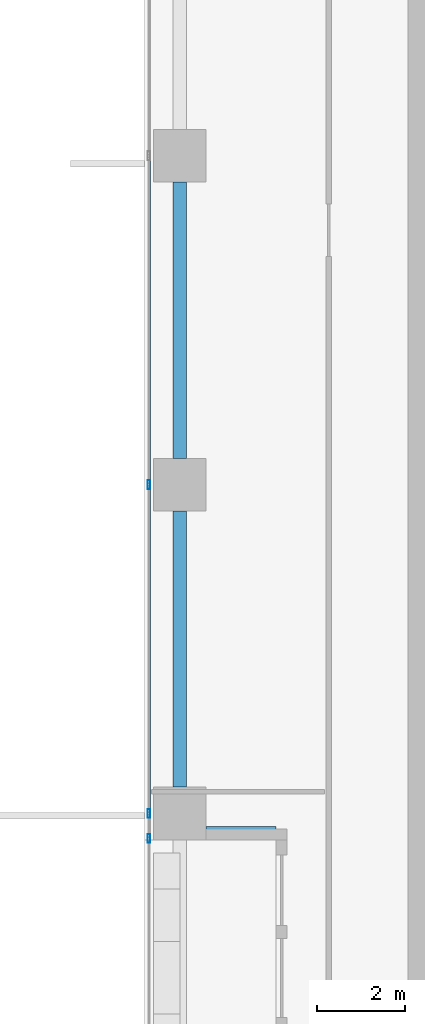
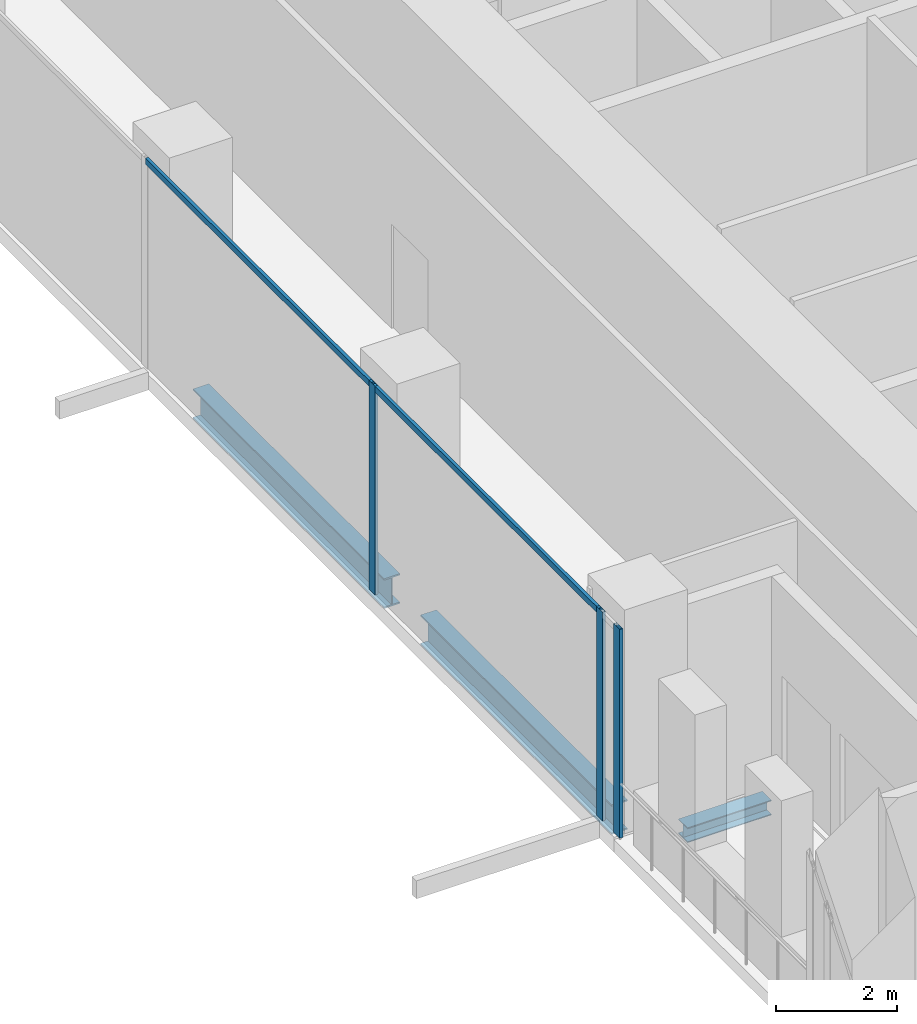
# One storey, part 5 of 33: 5 members, 3 beams, 1 element without a shape of its own.
"""IFC4 building model written with IfcOpenShell, lengths in metres."""

import ifcopenshell
import ifcopenshell.guid

model = None  # the IFC model being written
_history = None  # IfcOwnerHistory: only IFC2X3 demands one
_inside = {}  # id of a spatial element -> (the spatial element, [elements in it])
_under = {}  # id of a project, library or spatial element -> (it, [spatial elements below it])
_declared = {}  # id of a project -> (the project, [libraries it declares])
_typed = {}  # id of a type object -> (the type object, [elements of that type])
_made_of = {}  # id of a material, layer set ... -> (it, [elements and type objects made of it])


def new_model(schema):
    """Start an empty IFC model of exactly this schema.

    Asked for "IFC4X3", IfcOpenShell would pick the latest addendum, in which some entities
    have other attributes; the version numbers below select the first issue.
    IFC2X3 requires an IfcOwnerHistory on every rooted entity: one is made here for all.
    """
    global model, _history
    if schema == "IFC4X3":
        model = ifcopenshell.file(schema_version=(4, 3, 0, 0))
    else:
        model = ifcopenshell.file(schema=schema)
    _inside.clear()
    _under.clear()
    _declared.clear()
    _typed.clear()
    _made_of.clear()
    _history = None
    if model.schema == "IFC2X3":
        org = make("IfcOrganization", Name="unknown")
        user = make(
            "IfcPersonAndOrganization",
            ThePerson=make("IfcPerson", FamilyName="unknown"),
            TheOrganization=org,
        )
        app = make(
            "IfcApplication",
            ApplicationDeveloper=org,
            Version="unknown",
            ApplicationFullName="unknown",
            ApplicationIdentifier="unknown",
        )
        _history = make(
            "IfcOwnerHistory",
            OwningUser=user,
            OwningApplication=app,
            ChangeAction="ADDED",
            CreationDate=0,
        )
    return model


def make(cls, **values):
    """One entity of the class cls with the attributes given. An attribute that is None is left unset."""
    return model.create_entity(
        cls, **{name: value for name, value in values.items() if value is not None}
    )


def rooted(cls, **values):
    """An entity with a GlobalId (a new one), such as an element, a storey or a relation."""
    return make(cls, GlobalId=ifcopenshell.guid.new(), OwnerHistory=_history, **values)


def si_unit(unit_type, name, prefix=None):
    """IfcSIUnit, for example si_unit("LENGTHUNIT", "METRE", prefix="MILLI")."""
    return make("IfcSIUnit", UnitType=unit_type, Prefix=prefix, Name=name)


def assignment(units):
    """IfcUnitAssignment: the units of a project."""
    return None if units is None else make("IfcUnitAssignment", Units=units)


def point(xyz):
    """IfcCartesianPoint."""
    return None if xyz is None else make("IfcCartesianPoint", Coordinates=xyz)


def direction(xyz):
    """IfcDirection."""
    return None if xyz is None else make("IfcDirection", DirectionRatios=xyz)


def frame(location, z_axis=None, x_axis=None):
    """IfcAxis2Placement3D, a coordinate frame: its origin and axes. An axis left out is left unset."""
    return make(
        "IfcAxis2Placement3D",
        Location=point(location),
        Axis=direction(z_axis),
        RefDirection=direction(x_axis),
    )


def frame_2d(location, x_axis=None):
    """IfcAxis2Placement2D, a coordinate frame in the plane: its origin and x axis."""
    return make(
        "IfcAxis2Placement2D", Location=point(location), RefDirection=direction(x_axis)
    )


def origin():
    """The frame at (0, 0, 0) with its axes left unset."""
    return frame((0.0, 0.0, 0.0))


def origin_2d():
    """The frame at (0, 0) in the plane with its x axis left unset."""
    return frame_2d((0.0, 0.0))


def place(relative_to, where):
    """IfcLocalPlacement: puts the frame where relative to a parent placement (None: the world)."""
    return make(
        "IfcLocalPlacement", PlacementRelTo=relative_to, RelativePlacement=where
    )


def context(
    kind, dimensions, precision=None, world=None, true_north=None, identifier=None
):
    """IfcGeometricRepresentationContext, for example the 3D "Model" context."""
    return make(
        "IfcGeometricRepresentationContext",
        ContextIdentifier=identifier,
        ContextType=kind,
        CoordinateSpaceDimension=dimensions,
        Precision=precision,
        WorldCoordinateSystem=world,
        TrueNorth=true_north,
    )


def subcontext(parent, identifier, kind, view, scale=None):
    """IfcGeometricRepresentationSubContext, for example "Body" below "Model"."""
    return make(
        "IfcGeometricRepresentationSubContext",
        ContextIdentifier=identifier,
        ContextType=kind,
        ParentContext=parent,
        TargetScale=scale,
        TargetView=view,
    )


def project(units=None, contexts=None):
    """IfcProject with its units and contexts."""
    return rooted(
        "IfcProject",
        Name="project",
        RepresentationContexts=contexts,
        UnitsInContext=assignment(units),
    )


def spatial(cls, under=None, at=None, **own):
    """A site, building, storey or space (cls), placed at a placement, below another one or the project."""
    s = rooted(cls, ObjectPlacement=at, **own)
    if under is not None:
        _under.setdefault(under.id(), (under, []))[1].append(s)
    return s


def profile(cls, at=None, kind="AREA", **sizes):
    """A parametric profile (cls). Its sizes go by their IFC names, for example OverallWidth=200.0."""
    return make(cls, ProfileType=kind, Position=at, **sizes)


def hollow_rectangle(**sizes):
    """IfcRectangleHollowProfileDef."""
    return profile("IfcRectangleHollowProfileDef", **sizes)


def i_section(**sizes):
    """IfcIShapeProfileDef."""
    return profile("IfcIShapeProfileDef", **sizes)


def extrude(swept, where, along, depth):
    """IfcExtrudedAreaSolid: the profile swept, set in the frame where, extruded along a direction by depth."""
    return make(
        "IfcExtrudedAreaSolid",
        SweptArea=swept,
        Position=where,
        ExtrudedDirection=direction(along),
        Depth=depth,
    )


def shape(context_of_items, identifier, shape_type, items):
    """IfcShapeRepresentation: the items that make up one representation, for example the "Body"."""
    return make(
        "IfcShapeRepresentation",
        ContextOfItems=context_of_items,
        RepresentationIdentifier=identifier,
        RepresentationType=shape_type,
        Items=items,
    )


def source(mapping_origin, context_of_items, identifier, shape_type, items):
    """IfcRepresentationMap: a shape defined once, which mapped items show again and again."""
    return make(
        "IfcRepresentationMap",
        MappingOrigin=mapping_origin,
        MappedRepresentation=shape(context_of_items, identifier, shape_type, items),
    )


def transform(
    local_origin,
    x_axis=None,
    y_axis=None,
    z_axis=None,
    scale=None,
    scale2=None,
    scale3=None,
    uniform=True,
):
    """IfcCartesianTransformationOperator3D, or its non-uniform kind. x_axis, y_axis, z_axis: its Axis1, 2, 3."""
    if uniform:
        return make(
            "IfcCartesianTransformationOperator3D",
            Axis1=direction(x_axis),
            Axis2=direction(y_axis),
            LocalOrigin=point(local_origin),
            Scale=scale,
            Axis3=direction(z_axis),
        )
    return make(
        "IfcCartesianTransformationOperator3DnonUniform",
        Axis1=direction(x_axis),
        Axis2=direction(y_axis),
        LocalOrigin=point(local_origin),
        Scale=scale,
        Axis3=direction(z_axis),
        Scale2=scale2,
        Scale3=scale3,
    )


def mapped(mapping_source, mapping_target):
    """IfcMappedItem: shows the shape of a source again, moved by a transform."""
    return make(
        "IfcMappedItem", MappingSource=mapping_source, MappingTarget=mapping_target
    )


def material(Name=None, Category=None):
    """IfcMaterial."""
    return make("IfcMaterial", Name=Name, Category=Category)


def material_profile(
    of_material, cross_section, Name=None, Category=None, Priority=None
):
    """IfcMaterialProfile: a cross section and its material."""
    return make(
        "IfcMaterialProfile",
        Name=Name,
        Material=of_material,
        Profile=cross_section,
        Priority=Priority,
        Category=Category,
    )


def profile_set(profiles, Name=None, composite=None):
    """IfcMaterialProfileSet."""
    return make(
        "IfcMaterialProfileSet",
        Name=Name,
        MaterialProfiles=profiles,
        CompositeProfile=composite,
    )


def made_of(thing, what):
    """Note that an element or type object is made of a material, layer set ...; save() writes the relation."""
    if what is not None:
        _made_of.setdefault(what.id(), (what, []))[1].append(thing)
    return thing


def type_object(cls, material=None, **own):
    """A type object (cls), such as IfcWallType, which elements share."""
    return made_of(rooted(cls, **own), material)


def element(
    cls,
    number,
    at=None,
    inside=None,
    cuts=None,
    type_object=None,
    material=None,
    context=None,
    identifier="Body",
    shape_type=None,
    held_by="IfcProductDefinitionShape",
    body=None,
    shapes=None,
    **own,
):
    """One element of the class cls, such as IfcWall. Its Tag is "e" and its number.

    at: its placement. inside: the storey or other place that contains it. cuts: it is an
    opening in that element (IfcRelVoidsElement). A single representation is given by context,
    identifier, shape_type and body (its items); several are given by shapes. held_by: the class
    of the entity that holds the representations. save() writes the other relations.
    """
    e = rooted(cls, Tag="e%d" % number, ObjectPlacement=at, **own)
    if body is not None:
        shapes = [shape(context, identifier, shape_type, body)]
    if shapes is not None:
        e.Representation = make(held_by, Representations=shapes)
    if inside is not None:
        _inside.setdefault(inside.id(), (inside, []))[1].append(e)
    if cuts is not None:
        rooted(
            "IfcRelVoidsElement", RelatingBuildingElement=cuts, RelatedOpeningElement=e
        )
    if type_object is not None:
        _typed.setdefault(type_object.id(), (type_object, []))[1].append(e)
    return made_of(e, material)


def aggregate(whole, parts):
    """IfcRelAggregates: a whole, such as a stair, and the parts it consists of."""
    return rooted("IfcRelAggregates", RelatingObject=whole, RelatedObjects=parts)


def save(model, path):
    """Write the relations noted so far, then the file.

    IfcRelAggregates (storeys below a building ...), IfcRelContainedInSpatialStructure (elements
    in a storey), IfcRelDefinesByType, IfcRelAssociatesMaterial and IfcRelDeclares: one each for
    every whole, place, type object, material and project.
    """
    for whole, parts in _under.values():
        aggregate(whole, parts)
    for where, things in _inside.values():
        rooted(
            "IfcRelContainedInSpatialStructure",
            RelatedElements=things,
            RelatingStructure=where,
        )
    for kind, things in _typed.values():
        rooted("IfcRelDefinesByType", RelatedObjects=things, RelatingType=kind)
    for what, things in _made_of.values():
        rooted("IfcRelAssociatesMaterial", RelatedObjects=things, RelatingMaterial=what)
    for by, libraries in _declared.values():
        rooted("IfcRelDeclares", RelatingContext=by, RelatedDefinitions=libraries)
    model.write(path)


model = new_model("IFC4")

# Units and contexts
model_context = context("Model", 3, precision=1e-05, world=origin(), true_north=direction((0.0, 1.0)))
body_context = subcontext(model_context, "Body", "Model", "MODEL_VIEW")
ifc_project = project(units=[si_unit("LENGTHUNIT", "METRE"), si_unit("AREAUNIT", "SQUARE_METRE"), si_unit("VOLUMEUNIT", "CUBIC_METRE"), si_unit("PLANEANGLEUNIT", "RADIAN"), si_unit("MASSUNIT", "GRAM", prefix="KILO")], contexts=[model_context])

# Site, building, storey
site_placement = place(None, origin())
site = spatial("IfcSite", under=ifc_project, at=site_placement, CompositionType="ELEMENT")
building_placement = place(site_placement, origin())
building = spatial("IfcBuilding", under=site, at=building_placement, Name="Khomas Fold Tower", CompositionType="ELEMENT")
storey_placement = place(building_placement, frame((0.0, 0.0, 91.5)))
storey = spatial("IfcBuildingStorey", under=building, at=storey_placement, Name="L19", CompositionType="ELEMENT", Elevation=91.5)

# Beams
ifc_material_1 = material(Name="Steel S355", Category="steel")
ifc_material_profile_1 = material_profile(ifc_material_1, i_section(OverallWidth=0.300048828125, OverallDepth=0.60009765625, WebThickness=0.015380859375, FlangeThickness=0.030029296875, at=origin_2d()), Name="HE 600 B")
ifc_profile_set_1 = profile_set([ifc_material_profile_1], Name="Steel S355")
beam_type_1 = type_object("IfcBeamType", Name="HE 600 B spandrel SB1", PredefinedType="SPANDREL", material=ifc_profile_set_1)
shared_shape_1 = source(origin(), body_context, "Body", "SweptSolid", [
    extrude(i_section(OverallWidth=0.300048828125, OverallDepth=0.60009765625, WebThickness=0.015380859375, FlangeThickness=0.030029296875, at=origin_2d()), origin(), (0.0, 0.0, 1.0), 6.2998046875),
])
for number, where, z_axis, x_axis, name in (
    (1, (0.800048828125, 27.60009765625, -0.60009765625), (0.0, 1.0, 0.0), (-1.0, 0.0, 0.0), "SB1"),
    (2, (0.800048828125, 20.10009765625, -0.60009765625), (0.0, 1.0, 0.0), (-1.0, 0.0, 0.0), "SB1"),
):
    element("IfcBeam", number, at=place(storey_placement, frame(where, z_axis=z_axis, x_axis=x_axis)), inside=storey, type_object=beam_type_1, Name=name, PredefinedType="SPANDREL", context=body_context, shape_type="MappedRepresentation", body=[
        mapped(shared_shape_1, transform((0.0, 0.0, 0.0))),
    ])
ifc_material_2 = material(Name="Steel S355", Category="steel")
ifc_material_profile_2 = material_profile(ifc_material_2, i_section(OverallWidth=0.300048828125, OverallDepth=0.300048828125, WebThickness=0.010986328125, FlangeThickness=0.01904296875, at=origin_2d()), Name="HE 300 B")
ifc_profile_set_2 = profile_set([ifc_material_profile_2], Name="Steel S355")
beam_type_2 = type_object("IfcBeamType", Name="HE 300 B beam BB1", PredefinedType="BEAM", material=ifc_profile_set_2)
shared_shape_2 = source(origin(), body_context, "Body", "SweptSolid", [
    extrude(i_section(OverallWidth=0.300048828125, OverallDepth=0.300048828125, WebThickness=0.010986328125, FlangeThickness=0.01904296875, at=origin_2d()), origin(), (0.0, 0.0, 1.0), 1.60009765625),
])
beam_placement = place(storey_placement, frame((1.39990234375, 19.050048828125, -0.449951171875), z_axis=(1.0, 0.0, 0.0), x_axis=(0.0, 1.0, 0.0)))
element("IfcBeam", 3, at=beam_placement, inside=storey, type_object=beam_type_2, Name="BB1", PredefinedType="BEAM", context=body_context, shape_type="MappedRepresentation", body=[
    mapped(shared_shape_2, transform((0.0, 0.0, 0.0))),
])

# Curtain wall, members
ifc_material_3 = material(Name="Aluminium framed double glazing", Category="aluminium")
curtain_wall_type = type_object("IfcCurtainWallType", Name="SK-Unitised clear-glass wall, growing floors CW1", PredefinedType="NOTDEFINED", material=ifc_material_3)
curtain_wall_placement = place(storey_placement, origin())
curtain_wall = element("IfcCurtainWall", 4, at=curtain_wall_placement, inside=storey, type_object=curtain_wall_type, Name="CW1 run L19 09-0", PredefinedType="NOTDEFINED")
ifc_material_4 = material(Name="Aluminium", Category="aluminium")
ifc_material_profile_3 = material_profile(ifc_material_4, hollow_rectangle(XDim=0.06005859375, YDim=0.1201171875, WallThickness=0.00390625, at=origin_2d()), Name="SK-Unitised clear-glass wall, growing floors transom CW1-T")
ifc_profile_set_3 = profile_set([ifc_material_profile_3], Name="Aluminium")
member_type_1 = type_object("IfcMemberType", Name="SK-Unitised clear-glass wall, growing floors transom CW1-T", PredefinedType="USERDEFINED", material=ifc_profile_set_3)
shared_shape_3 = source(origin(), body_context, "Body", "SweptSolid", [
    extrude(hollow_rectangle(XDim=0.06005859375, YDim=0.1201171875, WallThickness=0.00390625, at=origin_2d()), origin(), (0.0, 0.0, 1.0), 7.43994140625),
])
member_1_placement = place(storey_placement, frame((0.10009765625, 34.469970703125, 4.139892578125), z_axis=(0.0, -1.0, 0.0), x_axis=(1.0, 0.0, 0.0)))
member_1 = element("IfcMember", 5, at=member_1_placement, type_object=member_type_1, Name="CW1 transom 4", ObjectType="TRANSOM", PredefinedType="USERDEFINED", context=body_context, shape_type="MappedRepresentation", body=[
    mapped(shared_shape_3, transform((0.0, 0.0, 0.0))),
])
member_2_placement = place(storey_placement, frame((0.10009765625, 26.969970703125, 4.139892578125), z_axis=(0.0, -1.0, 0.0), x_axis=(1.0, 0.0, 0.0)))
member_2 = element("IfcMember", 6, at=member_2_placement, type_object=member_type_1, Name="CW1 transom 5", ObjectType="TRANSOM", PredefinedType="USERDEFINED", context=body_context, shape_type="MappedRepresentation", body=[
    mapped(shared_shape_3, transform((0.0, 0.0, 0.0))),
])
ifc_material_5 = material(Name="Aluminium", Category="aluminium")
ifc_material_profile_4 = material_profile(ifc_material_5, hollow_rectangle(XDim=0.06005859375, YDim=0.199951171875, WallThickness=0.00390625, at=origin_2d()), Name="SK-Unitised clear-glass wall, growing floors mullion CW1-M")
ifc_profile_set_4 = profile_set([ifc_material_profile_4], Name="Aluminium")
member_type_2 = type_object("IfcMemberType", Name="SK-Unitised clear-glass wall, growing floors mullion CW1-M", PredefinedType="MULLION", material=ifc_profile_set_4)
shared_shape_4 = source(origin(), body_context, "Body", "SweptSolid", [
    extrude(hollow_rectangle(XDim=0.06005859375, YDim=0.199951171875, WallThickness=0.00390625, at=origin_2d()), origin(), (0.0, 0.0, 1.0), 4.199951171875),
])
member_3_placement = place(storey_placement, frame((0.10009765625, 27.0, 0.0), z_axis=(0.0, 0.0, 1.0), x_axis=(1.0, 0.0, 0.0)))
member_3 = element("IfcMember", 7, at=member_3_placement, type_object=member_type_2, Name="CW1 mullion 5", PredefinedType="MULLION", context=body_context, shape_type="MappedRepresentation", body=[
    mapped(shared_shape_4, transform((0.0, 0.0, 0.0))),
])
member_4_placement = place(storey_placement, frame((0.10009765625, 19.5, 0.0), z_axis=(0.0, 0.0, 1.0), x_axis=(1.0, 0.0, 0.0)))
member_4 = element("IfcMember", 8, at=member_4_placement, type_object=member_type_2, Name="CW1 mullion 6", PredefinedType="MULLION", context=body_context, shape_type="MappedRepresentation", body=[
    mapped(shared_shape_4, transform((0.0, 0.0, 0.0))),
])
member_5_placement = place(storey_placement, frame((0.10009765625, 18.929931640625, 0.0), z_axis=(0.0, 0.0, 1.0), x_axis=(1.0, 0.0, 0.0)))
member_5 = element("IfcMember", 9, at=member_5_placement, type_object=member_type_2, Name="CW1 mullion 7", PredefinedType="MULLION", context=body_context, shape_type="MappedRepresentation", body=[
    mapped(shared_shape_4, transform((0.0, 0.0, 0.0))),
])
aggregate(curtain_wall, [member_3, member_4, member_5, member_1, member_2])

save(model, "model.ifc")
